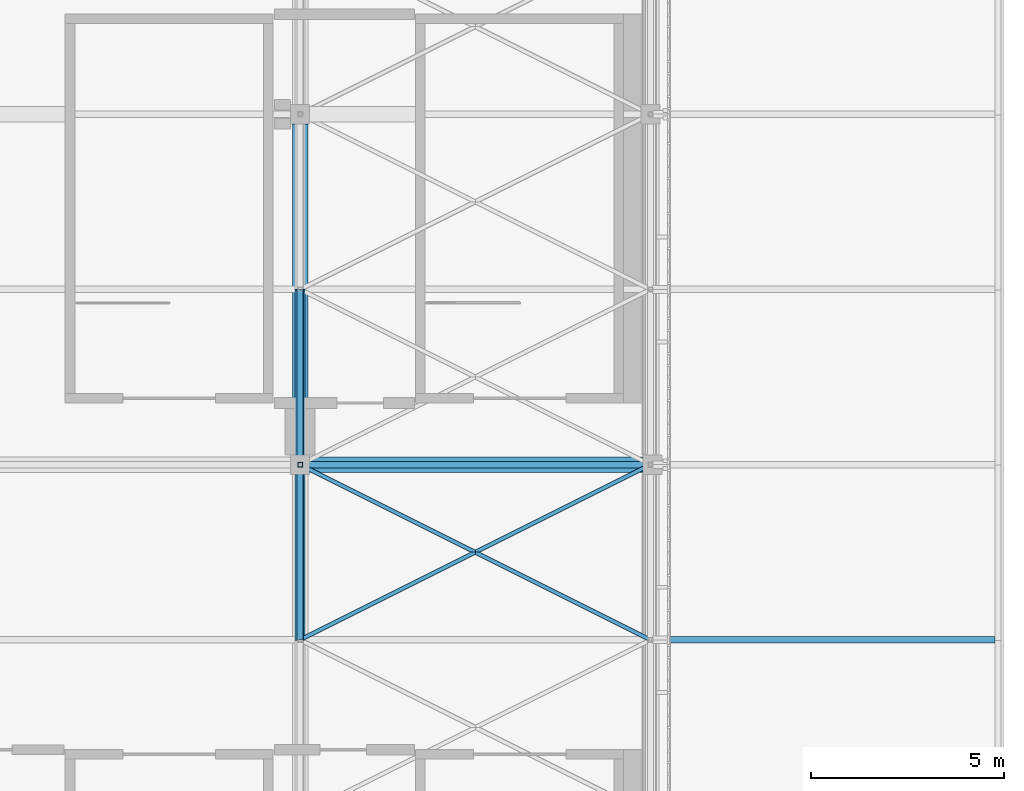
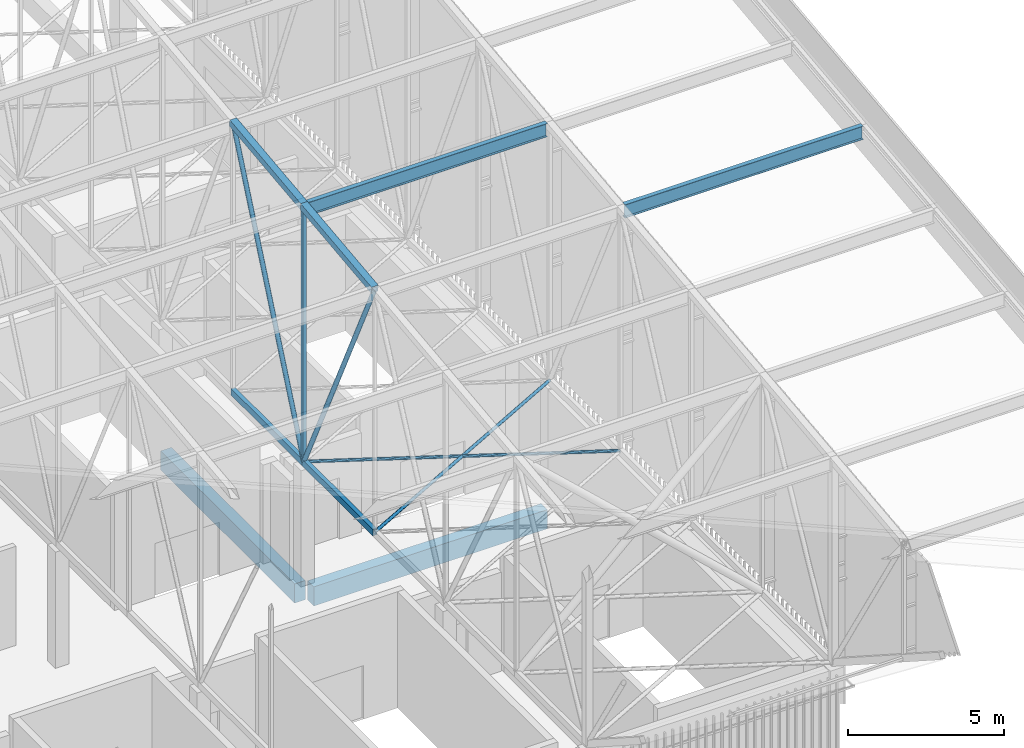
# One storey, part 344 of 500: 11 members, 2 beams.
"""IFC4 building model written with IfcOpenShell, lengths in metres."""

from ifc_helpers import new_model, si_unit, direction, frame, origin, origin_2d, place, context, subcontext, project, spatial, rectangle, hollow_rectangle, hollow_circle, i_section, extrude, material, material_profile, profile_set, type_object, element, save


model = new_model("IFC4")

# Units and contexts
model_context = context("Model", 3, precision=1e-05, world=origin(), true_north=direction((0.0, 1.0)))
body_context = subcontext(model_context, "Body", "Model", "MODEL_VIEW")
ifc_project = project(units=[si_unit("LENGTHUNIT", "METRE"), si_unit("AREAUNIT", "SQUARE_METRE"), si_unit("VOLUMEUNIT", "CUBIC_METRE"), si_unit("PLANEANGLEUNIT", "RADIAN"), si_unit("MASSUNIT", "GRAM", prefix="KILO")], contexts=[model_context])

# Site, building, storey
site_placement = place(None, origin())
site = spatial("IfcSite", under=ifc_project, at=site_placement, CompositionType="ELEMENT")
building_placement = place(site_placement, origin())
building = spatial("IfcBuilding", under=site, at=building_placement, Name="Shirokan Park Arena", CompositionType="ELEMENT")
storey_placement = place(building_placement, frame((0.0, 0.0, 29.1201171875)))
storey = spatial("IfcBuildingStorey", under=building, at=storey_placement, Name="L06", CompositionType="ELEMENT", Elevation=29.1201171875)

# Members
ifc_material_1 = material(Name="Steel ASTM A500 Grade C", Category="steel")
ifc_material_profile_1 = material_profile(ifc_material_1, hollow_rectangle(XDim=0.152099609375, YDim=0.25390625, WallThickness=0.009521484375, at=origin_2d()), Name="HSS254X152.4X9.5")
ifc_profile_set_1 = profile_set([ifc_material_profile_1], Name="Steel ASTM A500 Grade C")
member_type_1 = type_object("IfcMemberType", Name="Bottom chord HSS254X152.4X9.5", PredefinedType="CHORD", material=ifc_profile_set_1)
for number, where, z_axis, x_axis, name in (
    (1, (136.5, 13.64990234375, 4.677001953125), (0.0, 1.0, 0.0), (-1.0, 0.0, 0.0), "Truss T16 bottom chord 6"),
    (2, (136.5, 18.199951171875, 4.677001953125), (0.0, 1.0, 0.0), (-1.0, 0.0, 0.0), "Truss T16 bottom chord 7"),
):
    element("IfcMember", number, at=place(storey_placement, frame(where, z_axis=z_axis, x_axis=x_axis)), inside=storey, type_object=member_type_1, Name=name, PredefinedType="CHORD", context=body_context, shape_type="SweptSolid", body=[
        extrude(hollow_rectangle(XDim=0.152099609375, YDim=0.25390625, WallThickness=0.009521484375, at=origin_2d()), origin(), (0.0, 0.0, 1.0), 4.550048828125),
    ])
ifc_material_profile_2 = material_profile(ifc_material_1, hollow_circle(Radius=0.056884765625, WallThickness=0.006103515625, at=origin_2d()), Name="HSS114.3X6")
ifc_profile_set_2 = profile_set([ifc_material_profile_2], Name="Steel ASTM A500 Grade C")
member_type_2 = type_object("IfcMemberType", Name="Plan bracing HSS114.3X6", PredefinedType="BRACE", material=ifc_profile_set_2)
for number, where, z_axis, x_axis, name in (
    (3, (136.5, 13.64990234375, 4.677001953125), (0.894427191, 0.4472135955, 0.0), (-0.4472135955, 0.894427191, 0.0), "Plan bracing bay 16 panel 6 A"),
    (4, (145.60009765625, 13.64990234375, 4.677001953125), (-0.894427191, 0.4472135955, 0.0), (-0.4472135955, -0.894427191, 0.0), "Plan bracing bay 16 panel 6 B"),
):
    element("IfcMember", number, at=place(storey_placement, frame(where, z_axis=z_axis, x_axis=x_axis)), inside=storey, type_object=member_type_2, Name=name, PredefinedType="BRACE", context=body_context, shape_type="SweptSolid", body=[
        extrude(hollow_circle(Radius=0.056884765625, WallThickness=0.006103515625, at=origin_2d()), origin(), (0.0, 0.0, 1.0), 10.17431640625),
    ])
ifc_material_2 = material(Name="Steel ASTM A992", Category="steel")
ifc_material_profile_3 = material_profile(ifc_material_2, i_section(OverallWidth=0.166015625, OverallDepth=0.528076171875, WebThickness=0.009765625, FlangeThickness=0.013671875, at=origin_2d()), Name="W530X74")
ifc_profile_set_3 = profile_set([ifc_material_profile_3], Name="Steel ASTM A992")
member_type_3 = type_object("IfcMemberType", Name="Purlin W530X74", PredefinedType="PURLIN", material=ifc_profile_set_3)
member_1_placement = place(storey_placement, frame((145.72705078125, 13.64990234375, 14.0458984375), z_axis=(1.0, 0.0, 0.0), x_axis=(0.0, 1.0, 0.0)))
element("IfcMember", 5, at=member_1_placement, inside=storey, type_object=member_type_3, Name="Eave purlin east 6", PredefinedType="PURLIN", context=body_context, shape_type="SweptSolid", body=[
    extrude(i_section(OverallWidth=0.166015625, OverallDepth=0.528076171875, WebThickness=0.009765625, FlangeThickness=0.013671875, at=origin_2d()), origin(), (0.0, 0.0, 1.0), 8.824951171875),
])
member_2_placement = place(storey_placement, frame((136.626953125, 18.199951171875, 14.56591796875), z_axis=(1.0, 0.0, 0.0), x_axis=(0.0, 1.0, 0.0)))
element("IfcMember", 6, at=member_2_placement, inside=storey, type_object=member_type_3, Name="Purlin 7 bay 16", PredefinedType="PURLIN", context=body_context, shape_type="SweptSolid", body=[
    extrude(i_section(OverallWidth=0.166015625, OverallDepth=0.528076171875, WebThickness=0.009765625, FlangeThickness=0.013671875, at=origin_2d()), origin(), (0.0, 0.0, 1.0), 8.845947265625),
])

# Beams
ifc_material_3 = material(Name="Concrete C35", Category="concrete")
ifc_material_profile_4 = material_profile(ifc_material_3, rectangle(XDim=0.39990234375, YDim=0.75, at=origin_2d()), Name="400x750")
ifc_profile_set_4 = profile_set([ifc_material_profile_4], Name="Concrete C35")
beam_type = type_object("IfcBeamType", Name="RC girder 400x750", PredefinedType="BEAM", material=ifc_profile_set_4)
beam_1_placement = place(storey_placement, frame((136.75, 18.199951171875, -0.5751953125), z_axis=(1.0, 0.0, 0.0), x_axis=(0.0, 1.0, 0.0)))
element("IfcBeam", 7, at=beam_1_placement, inside=storey, type_object=beam_type, Name="Girder 16C-17C L06", PredefinedType="BEAM", context=body_context, shape_type="SweptSolid", body=[
    extrude(rectangle(XDim=0.39990234375, YDim=0.75, at=origin_2d()), origin(), (0.0, 0.0, 1.0), 8.64990234375),
])
beam_2_placement = place(storey_placement, frame((136.5, 18.4501953125, -0.5751953125), z_axis=(0.0, 1.0, 0.0), x_axis=(-1.0, 0.0, 0.0)))
element("IfcBeam", 8, at=beam_2_placement, inside=storey, type_object=beam_type, Name="Girder 16C-16D L06", PredefinedType="BEAM", context=body_context, shape_type="SweptSolid", body=[
    extrude(rectangle(XDim=0.39990234375, YDim=0.75, at=origin_2d()), origin(), (0.0, 0.0, 1.0), 8.599609375),
])

# Members
ifc_material_profile_5 = material_profile(ifc_material_1, hollow_rectangle(XDim=0.25390625, YDim=0.25390625, WallThickness=0.009521484375, at=origin_2d()), Name="HSS254X254X9.5")
ifc_profile_set_5 = profile_set([ifc_material_profile_5], Name="Steel ASTM A500 Grade C")
member_type_4 = type_object("IfcMemberType", Name="Top chord HSS254X254X9.5", PredefinedType="CHORD", material=ifc_profile_set_5)
for number, where, z_axis, x_axis, name in (
    (9, (136.5, 13.64990234375, 14.182861328125), (0.0, 0.993532328996, 0.113549598152), (-1.0, 0.0, 0.0), "Truss T16 top chord 6"),
    (10, (136.5, 18.199951171875, 14.702880859375), (0.0, 0.993532328996, 0.113549598152), (-1.0, 0.0, 0.0), "Truss T16 top chord 7"),
):
    element("IfcMember", number, at=place(storey_placement, frame(where, z_axis=z_axis, x_axis=x_axis)), inside=storey, type_object=member_type_4, Name=name, PredefinedType="CHORD", context=body_context, shape_type="SweptSolid", body=[
        extrude(hollow_rectangle(XDim=0.25390625, YDim=0.25390625, WallThickness=0.009521484375, at=origin_2d()), origin(), (0.0, 0.0, 1.0), 4.57958984375),
    ])
ifc_material_profile_6 = material_profile(ifc_material_1, hollow_circle(Radius=0.083984375, WallThickness=0.009521484375, at=origin_2d()), Name="HSS168.3X9.5")
ifc_profile_set_6 = profile_set([ifc_material_profile_6], Name="Steel ASTM A500 Grade C")
member_type_5 = type_object("IfcMemberType", Name="Truss diagonal HSS168.3X9.5", PredefinedType="BRACE", material=ifc_profile_set_6)
member_3_placement = place(storey_placement, frame((136.5, 13.64990234375, 14.182861328125), z_axis=(0.0, 0.431746476626, -0.901994999942), x_axis=(-1.0, 0.0, 0.0)))
element("IfcMember", 11, at=member_3_placement, inside=storey, type_object=member_type_5, Name="Truss T16 diagonal 6", PredefinedType="BRACE", context=body_context, shape_type="SweptSolid", body=[
    extrude(hollow_circle(Radius=0.083984375, WallThickness=0.009521484375, at=origin_2d()), origin(), (0.0, 0.0, 1.0), 10.538818359375),
])
member_4_placement = place(storey_placement, frame((136.5, 18.199951171875, 4.677001953125), z_axis=(0.0, 0.396152605513, 0.918184683572), x_axis=(-1.0, 0.0, 0.0)))
element("IfcMember", 12, at=member_4_placement, inside=storey, type_object=member_type_5, Name="Truss T16 diagonal 7", PredefinedType="BRACE", context=body_context, shape_type="SweptSolid", body=[
    extrude(hollow_circle(Radius=0.083984375, WallThickness=0.009521484375, at=origin_2d()), origin(), (0.0, 0.0, 1.0), 11.485595703125),
])
ifc_material_profile_7 = material_profile(ifc_material_1, hollow_rectangle(XDim=0.126953125, YDim=0.126953125, WallThickness=0.0126953125, at=origin_2d()), Name="HSS127X127X12.7")
ifc_profile_set_7 = profile_set([ifc_material_profile_7], Name="Steel ASTM A500 Grade C")
member_type_6 = type_object("IfcMemberType", Name="Truss post HSS127X127X12.7", PredefinedType="POST", material=ifc_profile_set_7)
member_5_placement = place(storey_placement, frame((136.5, 18.199951171875, 4.677001953125), z_axis=(0.0, 0.0, 1.0), x_axis=(1.0, 0.0, 0.0)))
element("IfcMember", 13, at=member_5_placement, inside=storey, type_object=member_type_6, Name="Truss T16 post 7", PredefinedType="POST", context=body_context, shape_type="SweptSolid", body=[
    extrude(hollow_rectangle(XDim=0.126953125, YDim=0.126953125, WallThickness=0.0126953125, at=origin_2d()), origin(), (0.0, 0.0, 1.0), 10.02587890625),
])

save(model, "model.ifc")
